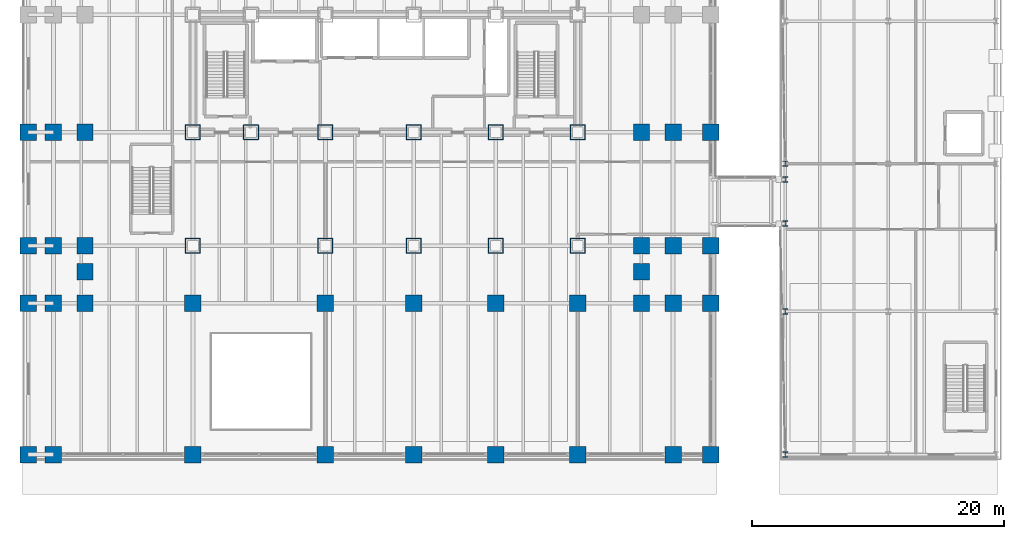
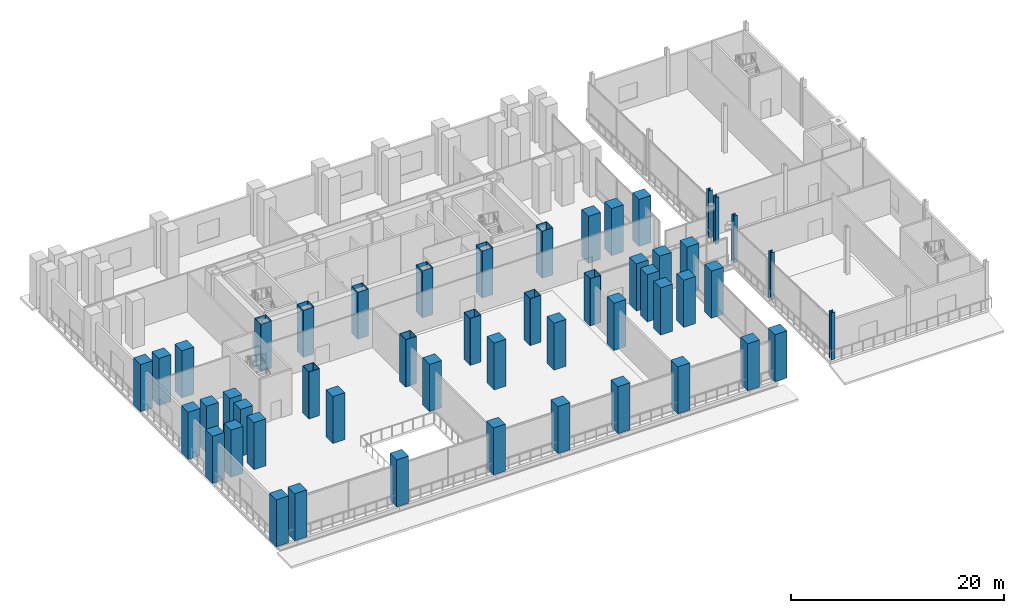
# One storey, part 1 of 32: 50 columns.
"""IFC4 building model written with IfcOpenShell, lengths in metres."""

from ifc_helpers import new_model, si_unit, direction, frame, origin, origin_2d, place, context, subcontext, project, spatial, rectangle, hollow_rectangle, i_section, extrude, material, material_profile, profile_set, type_object, element, save


model = new_model("IFC4")

# Units and contexts
model_context = context("Model", 3, precision=1e-05, world=origin(), true_north=direction((0.0, 1.0)))
body_context = subcontext(model_context, "Body", "Model", "MODEL_VIEW")
ifc_project = project(units=[si_unit("LENGTHUNIT", "METRE"), si_unit("AREAUNIT", "SQUARE_METRE"), si_unit("VOLUMEUNIT", "CUBIC_METRE"), si_unit("PLANEANGLEUNIT", "RADIAN"), si_unit("MASSUNIT", "GRAM", prefix="KILO")], contexts=[model_context])

# Site, building, storey
site_placement = place(None, origin())
site = spatial("IfcSite", under=ifc_project, at=site_placement, CompositionType="ELEMENT")
building_placement = place(site_placement, origin())
building = spatial("IfcBuilding", under=site, at=building_placement, Name="Noeulbin Bourse Tower", CompositionType="ELEMENT")
storey_placement = place(building_placement, frame((0.0, 0.0, 5.800048828125)))
storey = spatial("IfcBuildingStorey", under=building, at=storey_placement, Name="L02", CompositionType="ELEMENT", Elevation=5.800048828125)

# Columns
ifc_material_1 = material(Name="Steel S355", Category="steel")
ifc_material_profile_1 = material_profile(ifc_material_1, i_section(OverallWidth=0.406982421875, OverallDepth=0.427978515625, WebThickness=0.02001953125, FlangeThickness=0.034912109375, FilletRadius=0.02197265625, at=origin_2d()), Name="H-428x407x20x35", Category="LoadBearing")
ifc_profile_set_1 = profile_set([ifc_material_profile_1], Name="Steel S355")
column_type_1 = type_object("IfcColumnType", Name="COL-MKT-ST", PredefinedType="COLUMN", material=ifc_profile_set_1)
for number, where, z_axis, x_axis, name in (
    (1, (60.449951171875, 3.449951171875, 0.0), (0.0, 0.0, 1.0), (1.0, 0.0, 0.0), "Market Hall Column COL-MKT-ST 01"),
    (2, (60.449951171875, 14.800048828125, 0.0), (0.0, 0.0, 1.0), (1.0, 0.0, 0.0), "Market Hall Column COL-MKT-ST 02"),
    (3, (60.449951171875, 21.75, 0.0), (0.0, 0.0, 1.0), (1.0, 0.0, 0.0), "Market Hall Column COL-MKT-ST 03"),
    (4, (60.449951171875, 25.25, 0.0), (0.0, 0.0, 1.0), (1.0, 0.0, 0.0), "Market Hall Column COL-MKT-ST 04"),
    (5, (60.449951171875, 26.5, 0.0), (0.0, 0.0, 1.0), (1.0, 0.0, 0.0), "Market Hall Column COL-MKT-ST 05"),
):
    element("IfcColumn", number, at=place(storey_placement, frame(where, z_axis=z_axis, x_axis=x_axis)), inside=storey, type_object=column_type_1, Name=name, PredefinedType="COLUMN", context=body_context, shape_type="SweptSolid", body=[
        extrude(i_section(OverallWidth=0.406982421875, OverallDepth=0.427978515625, WebThickness=0.02001953125, FlangeThickness=0.034912109375, FilletRadius=0.02197265625, at=origin_2d()), origin(), (0.0, 0.0, 1.0), 5.39990234375),
    ])
ifc_material_2 = material(Name="Concrete C60/75", Category="concrete")
ifc_material_profile_2 = material_profile(ifc_material_2, rectangle(XDim=1.300048828125, YDim=1.300048828125, at=origin_2d()), Name="RC-COL-1300x1300", Category="LoadBearing")
ifc_profile_set_2 = profile_set([ifc_material_profile_2], Name="Concrete C60/75")
column_type_2 = type_object("IfcColumnType", Name="COL-POD-RC", PredefinedType="COLUMN", material=ifc_profile_set_2)
for number, where, z_axis, x_axis, name in (
    (6, (0.449951171875, 3.449951171875, 0.0), (0.0, 0.0, 1.0), (1.0, 0.0, 0.0), "Podium Column COL-POD-RC 01"),
    (7, (0.449951171875, 15.449951171875, 0.0), (0.0, 0.0, 1.0), (1.0, 0.0, 0.0), "Podium Column COL-POD-RC 02"),
    (8, (0.449951171875, 20.0, 0.0), (0.0, 0.0, 1.0), (1.0, 0.0, 0.0), "Podium Column COL-POD-RC 03"),
    (9, (0.449951171875, 29.0, 0.0), (0.0, 0.0, 1.0), (1.0, 0.0, 0.0), "Podium Column COL-POD-RC 04"),
    (10, (2.449951171875, 3.449951171875, 0.0), (0.0, 0.0, 1.0), (1.0, 0.0, 0.0), "Podium Column COL-POD-RC 08"),
    (11, (2.449951171875, 15.449951171875, 0.0), (0.0, 0.0, 1.0), (1.0, 0.0, 0.0), "Podium Column COL-POD-RC 09"),
    (12, (2.449951171875, 20.0, 0.0), (0.0, 0.0, 1.0), (1.0, 0.0, 0.0), "Podium Column COL-POD-RC 10"),
    (13, (2.449951171875, 29.0, 0.0), (0.0, 0.0, 1.0), (1.0, 0.0, 0.0), "Podium Column COL-POD-RC 11"),
    (14, (4.949951171875, 15.449951171875, 0.0), (0.0, 0.0, 1.0), (1.0, 0.0, 0.0), "Podium Column COL-POD-RC 15"),
    (15, (4.949951171875, 17.949951171875, 0.0), (0.0, 0.0, 1.0), (1.0, 0.0, 0.0), "Podium Column COL-POD-RC 16"),
    (16, (4.949951171875, 20.0, 0.0), (0.0, 0.0, 1.0), (1.0, 0.0, 0.0), "Podium Column COL-POD-RC 17"),
    (17, (4.949951171875, 29.0, 0.0), (0.0, 0.0, 1.0), (1.0, 0.0, 0.0), "Podium Column COL-POD-RC 18"),
    (18, (13.5, 3.449951171875, 0.0), (0.0, 0.0, 1.0), (1.0, 0.0, 0.0), "Podium Column COL-POD-RC 22"),
    (19, (13.5, 15.449951171875, 0.0), (0.0, 0.0, 1.0), (1.0, 0.0, 0.0), "Podium Column COL-POD-RC 23"),
    (20, (24.0, 3.449951171875, 0.0), (0.0, 0.0, 1.0), (1.0, 0.0, 0.0), "Podium Column COL-POD-RC 26"),
    (21, (24.0, 15.449951171875, 0.0), (0.0, 0.0, 1.0), (1.0, 0.0, 0.0), "Podium Column COL-POD-RC 27"),
    (22, (31.0, 3.449951171875, 0.0), (0.0, 0.0, 1.0), (1.0, 0.0, 0.0), "Podium Column COL-POD-RC 30"),
    (23, (31.0, 15.449951171875, 0.0), (0.0, 0.0, 1.0), (1.0, 0.0, 0.0), "Podium Column COL-POD-RC 31"),
    (24, (37.5, 3.449951171875, 0.0), (0.0, 0.0, 1.0), (1.0, 0.0, 0.0), "Podium Column COL-POD-RC 34"),
    (25, (37.5, 15.449951171875, 0.0), (0.0, 0.0, 1.0), (1.0, 0.0, 0.0), "Podium Column COL-POD-RC 35"),
    (26, (44.0, 3.449951171875, 0.0), (0.0, 0.0, 1.0), (1.0, 0.0, 0.0), "Podium Column COL-POD-RC 38"),
    (27, (44.0, 15.449951171875, 0.0), (0.0, 0.0, 1.0), (1.0, 0.0, 0.0), "Podium Column COL-POD-RC 39"),
    (28, (49.050048828125, 15.449951171875, 0.0), (0.0, 0.0, 1.0), (1.0, 0.0, 0.0), "Podium Column COL-POD-RC 42"),
    (29, (49.050048828125, 17.949951171875, 0.0), (0.0, 0.0, 1.0), (1.0, 0.0, 0.0), "Podium Column COL-POD-RC 43"),
    (30, (49.050048828125, 20.0, 0.0), (0.0, 0.0, 1.0), (1.0, 0.0, 0.0), "Podium Column COL-POD-RC 44"),
    (31, (49.050048828125, 29.0, 0.0), (0.0, 0.0, 1.0), (1.0, 0.0, 0.0), "Podium Column COL-POD-RC 45"),
    (32, (51.550048828125, 3.449951171875, 0.0), (0.0, 0.0, 1.0), (1.0, 0.0, 0.0), "Podium Column COL-POD-RC 49"),
    (33, (51.550048828125, 15.449951171875, 0.0), (0.0, 0.0, 1.0), (1.0, 0.0, 0.0), "Podium Column COL-POD-RC 50"),
    (34, (51.550048828125, 20.0, 0.0), (0.0, 0.0, 1.0), (1.0, 0.0, 0.0), "Podium Column COL-POD-RC 51"),
    (35, (51.550048828125, 29.0, 0.0), (0.0, 0.0, 1.0), (1.0, 0.0, 0.0), "Podium Column COL-POD-RC 52"),
    (36, (54.550048828125, 3.449951171875, 0.0), (0.0, 0.0, 1.0), (1.0, 0.0, 0.0), "Podium Column COL-POD-RC 56"),
    (37, (54.550048828125, 15.449951171875, 0.0), (0.0, 0.0, 1.0), (1.0, 0.0, 0.0), "Podium Column COL-POD-RC 57"),
    (38, (54.550048828125, 20.0, 0.0), (0.0, 0.0, 1.0), (1.0, 0.0, 0.0), "Podium Column COL-POD-RC 58"),
    (39, (54.550048828125, 29.0, 0.0), (0.0, 0.0, 1.0), (1.0, 0.0, 0.0), "Podium Column COL-POD-RC 59"),
):
    element("IfcColumn", number, at=place(storey_placement, frame(where, z_axis=z_axis, x_axis=x_axis)), inside=storey, type_object=column_type_2, Name=name, PredefinedType="COLUMN", context=body_context, shape_type="SweptSolid", body=[
        extrude(rectangle(XDim=1.300048828125, YDim=1.300048828125, at=origin_2d()), origin(), (0.0, 0.0, 1.0), 5.39990234375),
    ])
ifc_material_3 = material(Name="Steel S460", Category="steel")
ifc_material_profile_3 = material_profile(ifc_material_3, hollow_rectangle(XDim=1.199951171875, YDim=1.199951171875, WallThickness=0.0400390625, InnerFilletRadius=0.02001953125, OuterFilletRadius=0.06005859375, at=origin_2d()), Name="BOX-1200x1200x40", Category="LoadBearing")
ifc_profile_set_3 = profile_set([ifc_material_profile_3], Name="Steel S460")
column_type_3 = type_object("IfcColumnType", Name="COL-TRK-Z0", PredefinedType="COLUMN", material=ifc_profile_set_3)
for number, where, z_axis, x_axis, name in (
    (40, (13.5, 29.0, 0.0), (0.0, 0.0, 1.0), (1.0, 0.0, 0.0), "Tower Trunk Mega-Column COL-TRK-Z0 01"),
    (41, (18.10009765625, 29.0, 0.0), (0.0, 0.0, 1.0), (1.0, 0.0, 0.0), "Tower Trunk Mega-Column COL-TRK-Z0 03"),
    (42, (24.0, 29.0, 0.0), (0.0, 0.0, 1.0), (1.0, 0.0, 0.0), "Tower Trunk Mega-Column COL-TRK-Z0 05"),
    (43, (31.0, 29.0, 0.0), (0.0, 0.0, 1.0), (1.0, 0.0, 0.0), "Tower Trunk Mega-Column COL-TRK-Z0 07"),
    (44, (37.5, 29.0, 0.0), (0.0, 0.0, 1.0), (1.0, 0.0, 0.0), "Tower Trunk Mega-Column COL-TRK-Z0 09"),
    (45, (44.0, 29.0, 0.0), (0.0, 0.0, 1.0), (1.0, 0.0, 0.0), "Tower Trunk Mega-Column COL-TRK-Z0 11"),
    (46, (13.5, 20.0, 0.0), (0.0, 0.0, 1.0), (1.0, 0.0, 0.0), "Tower Trunk Mega-Column COL-TRK-Z0 13"),
    (47, (24.0, 20.0, 0.0), (0.0, 0.0, 1.0), (1.0, 0.0, 0.0), "Tower Trunk Mega-Column COL-TRK-Z0 14"),
    (48, (31.0, 20.0, 0.0), (0.0, 0.0, 1.0), (1.0, 0.0, 0.0), "Tower Trunk Mega-Column COL-TRK-Z0 15"),
    (49, (37.5, 20.0, 0.0), (0.0, 0.0, 1.0), (1.0, 0.0, 0.0), "Tower Trunk Mega-Column COL-TRK-Z0 16"),
    (50, (44.0, 20.0, 0.0), (0.0, 0.0, 1.0), (1.0, 0.0, 0.0), "Tower Trunk Mega-Column COL-TRK-Z0 17"),
):
    element("IfcColumn", number, at=place(storey_placement, frame(where, z_axis=z_axis, x_axis=x_axis)), inside=storey, type_object=column_type_3, Name=name, PredefinedType="COLUMN", context=body_context, shape_type="SweptSolid", body=[
        extrude(hollow_rectangle(XDim=1.199951171875, YDim=1.199951171875, WallThickness=0.0400390625, InnerFilletRadius=0.02001953125, OuterFilletRadius=0.06005859375, at=origin_2d()), origin(), (0.0, 0.0, 1.0), 5.39990234375),
    ])

save(model, "model.ifc")
